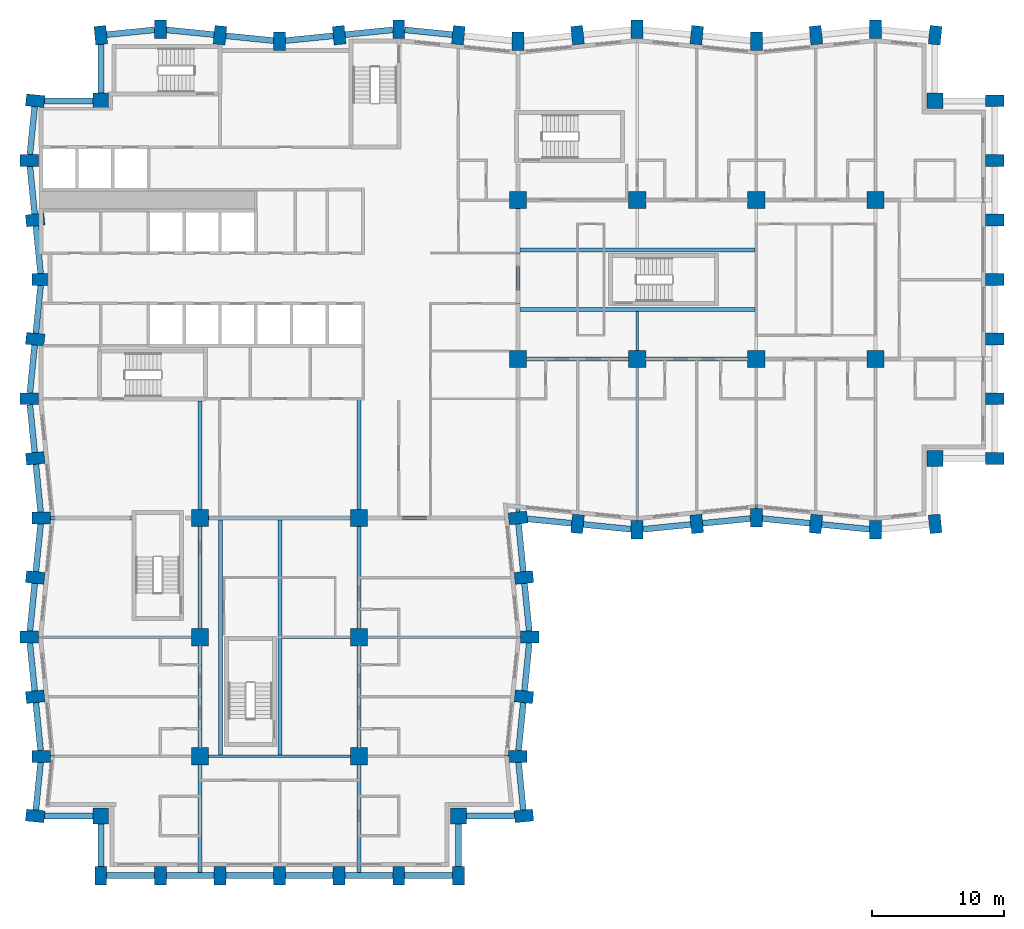
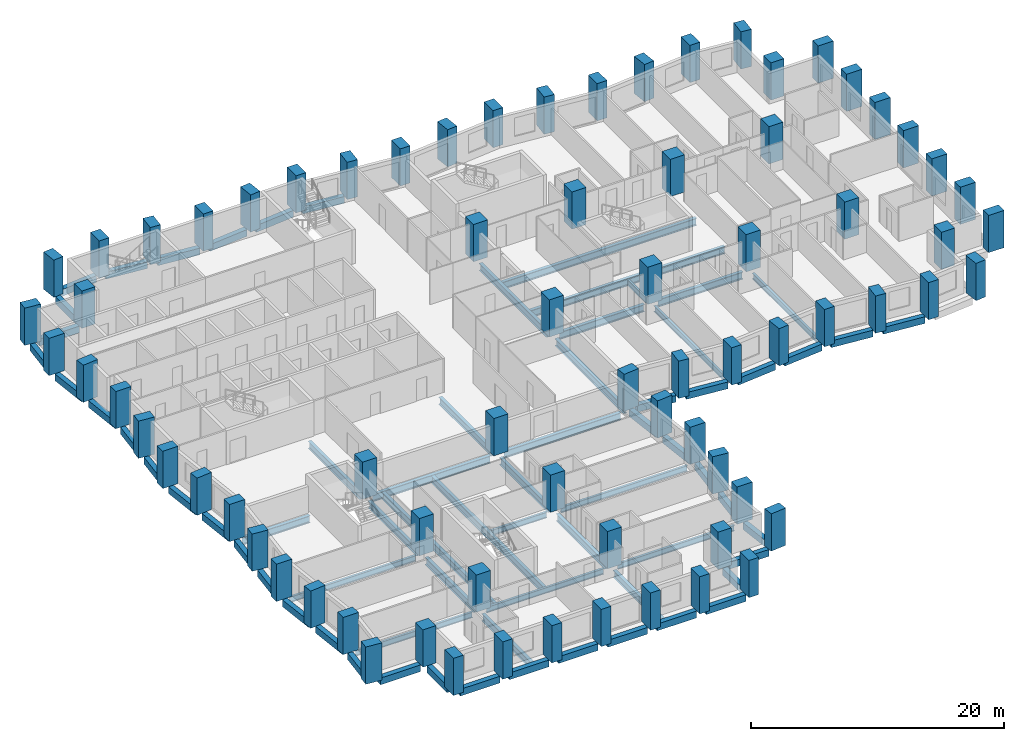
# One storey, part 1 of 13: 74 columns, 69 beams.
"""IFC4 building model written with IfcOpenShell, lengths in metres."""

from ifc_helpers import new_model, si_unit, direction, frame, origin, origin_2d, place, context, subcontext, project, spatial, rectangle, i_section, extrude, material, material_profile, profile_set, type_object, element, save


model = new_model("IFC4")

# Units and contexts
model_context = context("Model", 3, precision=1e-05, world=origin(), true_north=direction((0.0, 1.0)))
body_context = subcontext(model_context, "Body", "Model", "MODEL_VIEW")
ifc_project = project(units=[si_unit("LENGTHUNIT", "METRE"), si_unit("AREAUNIT", "SQUARE_METRE"), si_unit("VOLUMEUNIT", "CUBIC_METRE"), si_unit("PLANEANGLEUNIT", "RADIAN"), si_unit("MASSUNIT", "GRAM", prefix="KILO")], contexts=[model_context])

# Site, building, storey
site_placement = place(None, origin())
site = spatial("IfcSite", under=ifc_project, at=site_placement, CompositionType="ELEMENT")
building_placement = place(site_placement, origin())
building = spatial("IfcBuilding", under=site, at=building_placement, Name="Brondeck Convention Tower", CompositionType="ELEMENT")
storey_placement = place(building_placement, frame((0.0, 0.0, 41.10009765625)))
storey = spatial("IfcBuildingStorey", under=building, at=storey_placement, Name="L07", CompositionType="ELEMENT", Elevation=41.10009765625)

# Columns
ifc_material_1 = material(Name="Concrete C80/95", Category="concrete")
ifc_material_profile_1 = material_profile(ifc_material_1, rectangle(XDim=1.199951171875, YDim=1.199951171875, at=origin_2d()), Name="Corner column 1200x1200 Concrete C80/95")
ifc_profile_set_1 = profile_set([ifc_material_profile_1], Name="Concrete C80/95")
column_type_1 = type_object("IfcColumnType", Name="Corner column 1200x1200 Concrete C80/95", PredefinedType="COLUMN", material=ifc_profile_set_1)
for number, where, z_axis, x_axis, name in (
    (1, (4.5, 4.5, 0.0), (0.0, 0.0, 1.0), (1.0, 0.0, 0.0), "STR-COL-L07-NC-SWB0"),
    (2, (31.5, 4.5, 0.0), (0.0, 0.0, 1.0), (1.0, 0.0, 0.0), "STR-COL-L07-NC-SEB0"),
    (3, (67.5, 31.5, 0.0), (0.0, 0.0, 1.0), (1.0, 0.0, 0.0), "STR-COL-L07-NC-SEA72"),
    (4, (67.5, 58.5, 0.0), (0.0, 0.0, 1.0), (1.0, 0.0, 0.0), "STR-COL-L07-NC-NEA72"),
    (5, (4.5, 58.5, 0.0), (0.0, 0.0, 1.0), (1.0, 0.0, 0.0), "STR-COL-L07-NC-NW"),
):
    element("IfcColumn", number, at=place(storey_placement, frame(where, z_axis=z_axis, x_axis=x_axis)), inside=storey, type_object=column_type_1, Name=name, PredefinedType="COLUMN", context=body_context, shape_type="SweptSolid", body=[
        extrude(rectangle(XDim=1.199951171875, YDim=1.199951171875, at=origin_2d()), origin(), (0.0, 0.0, 1.0), 3.599853515625),
    ])
ifc_material_profile_2 = material_profile(ifc_material_1, rectangle(XDim=1.300048828125, YDim=1.300048828125, at=origin_2d()), Name="Interior column 1300x1300 Concrete C80/95")
ifc_profile_set_2 = profile_set([ifc_material_profile_2], Name="Concrete C80/95")
column_type_2 = type_object("IfcColumnType", Name="Interior column 1300x1300 Concrete C80/95", PredefinedType="COLUMN", material=ifc_profile_set_2)
for number, where, z_axis, x_axis, name in (
    (6, (12.0, 9.0, 0.0), (0.0, 0.0, 1.0), (1.0, 0.0, 0.0), "STR-COL-L07-IC-01"),
    (7, (12.0, 18.0, 0.0), (0.0, 0.0, 1.0), (1.0, 0.0, 0.0), "STR-COL-L07-IC-02"),
    (8, (12.0, 27.0, 0.0), (0.0, 0.0, 1.0), (1.0, 0.0, 0.0), "STR-COL-L07-IC-03"),
    (9, (24.0, 9.0, 0.0), (0.0, 0.0, 1.0), (1.0, 0.0, 0.0), "STR-COL-L07-IC-04"),
    (10, (24.0, 18.0, 0.0), (0.0, 0.0, 1.0), (1.0, 0.0, 0.0), "STR-COL-L07-IC-05"),
    (11, (24.0, 27.0, 0.0), (0.0, 0.0, 1.0), (1.0, 0.0, 0.0), "STR-COL-L07-IC-06"),
    (12, (36.0, 39.0, 0.0), (0.0, 0.0, 1.0), (1.0, 0.0, 0.0), "STR-COL-L07-IC-07"),
    (13, (36.0, 51.0, 0.0), (0.0, 0.0, 1.0), (1.0, 0.0, 0.0), "STR-COL-L07-IC-08"),
    (14, (45.0, 39.0, 0.0), (0.0, 0.0, 1.0), (1.0, 0.0, 0.0), "STR-COL-L07-IC-09"),
    (15, (45.0, 51.0, 0.0), (0.0, 0.0, 1.0), (1.0, 0.0, 0.0), "STR-COL-L07-IC-10"),
    (16, (54.0, 39.0, 0.0), (0.0, 0.0, 1.0), (1.0, 0.0, 0.0), "STR-COL-L07-IC-11"),
    (17, (54.0, 51.0, 0.0), (0.0, 0.0, 1.0), (1.0, 0.0, 0.0), "STR-COL-L07-IC-12"),
    (18, (63.0, 39.0, 0.0), (0.0, 0.0, 1.0), (1.0, 0.0, 0.0), "STR-COL-L07-IC-13"),
    (19, (63.0, 51.0, 0.0), (0.0, 0.0, 1.0), (1.0, 0.0, 0.0), "STR-COL-L07-IC-14"),
):
    element("IfcColumn", number, at=place(storey_placement, frame(where, z_axis=z_axis, x_axis=x_axis)), inside=storey, type_object=column_type_2, Name=name, PredefinedType="COLUMN", context=body_context, shape_type="SweptSolid", body=[
        extrude(rectangle(XDim=1.300048828125, YDim=1.300048828125, at=origin_2d()), origin(), (0.0, 0.0, 1.0), 3.599853515625),
    ])
ifc_material_profile_3 = material_profile(ifc_material_1, rectangle(XDim=0.89990234375, YDim=1.39990234375, at=origin_2d()), Name="Perimeter pier 900x1400 Concrete C80/95")
ifc_profile_set_3 = profile_set([ifc_material_profile_3], Name="Concrete C80/95")
column_type_3 = type_object("IfcColumnType", Name="Perimeter pier 900x1400 Concrete C80/95", PredefinedType="COLUMN", material=ifc_profile_set_3)
for number, where, z_axis, x_axis, name in (
    (20, (4.5, 0.0, 0.0), (0.0, 0.0, 1.0), (1.0, 0.0, 0.0), "STR-COL-L07-PC-B-S0-01"),
    (21, (9.0, 0.0, 0.0), (0.0, 0.0, 1.0), (1.0, 0.0, 0.0), "STR-COL-L07-PC-B-S0-02"),
    (22, (13.5, 0.0, 0.0), (0.0, 0.0, 1.0), (1.0, 0.0, 0.0), "STR-COL-L07-PC-B-S0-03"),
    (23, (18.0, 0.0, 0.0), (0.0, 0.0, 1.0), (1.0, 0.0, 0.0), "STR-COL-L07-PC-B-S0-04"),
    (24, (22.5, 0.0, 0.0), (0.0, 0.0, 1.0), (1.0, 0.0, 0.0), "STR-COL-L07-PC-B-S0-05"),
    (25, (27.0, 0.0, 0.0), (0.0, 0.0, 1.0), (1.0, 0.0, 0.0), "STR-COL-L07-PC-B-S0-06"),
    (26, (31.5, 0.0, 0.0), (0.0, 0.0, 1.0), (1.0, 0.0, 0.0), "STR-COL-L07-PC-B-S0-07"),
    (27, (36.449951171875, 4.5, 0.0), (0.0, 0.0, 1.0), (-0.0995038382, 0.995037178292, 0.0), "STR-COL-L07-PC-B-E-05"),
    (28, (36.0, 9.0, 0.0), (0.0, 0.0, 1.0), (0.0, 1.0, 0.0), "STR-COL-L07-PC-B-E-04"),
    (29, (36.449951171875, 13.5, 0.0), (0.0, 0.0, 1.0), (0.0995038382, 0.995037178292, 0.0), "STR-COL-L07-PC-B-E-03"),
    (30, (36.89990234375, 18.0, 0.0), (0.0, 0.0, 1.0), (0.0, 1.0, 0.0), "STR-COL-L07-PC-B-E-02"),
    (31, (36.449951171875, 22.5, 0.0), (0.0, 0.0, 1.0), (-0.0995038382, 0.995037178292, 0.0), "STR-COL-L07-PC-B-E-01"),
    (32, (36.0, 27.0, 0.0), (0.0, 0.0, 1.0), (-0.0995038382, 0.995037178292, 0.0), "STR-COL-L07-PC-B-E-00"),
    (33, (40.5, 26.550048828125, 0.0), (0.0, 0.0, 1.0), (0.995037178292, -0.0995038382, 0.0), "STR-COL-L07-PC-A-S-01"),
    (34, (45.0, 26.10009765625, 0.0), (0.0, 0.0, 1.0), (1.0, 0.0, 0.0), "STR-COL-L07-PC-A-S-02"),
    (35, (49.5, 26.550048828125, 0.0), (0.0, 0.0, 1.0), (0.995037178292, 0.0995038382, 0.0), "STR-COL-L07-PC-A-S-03"),
    (36, (54.0, 27.0, 0.0), (0.0, 0.0, 1.0), (1.0, 0.0, 0.0), "STR-COL-L07-PC-A-S-04"),
    (37, (58.5, 26.550048828125, 0.0), (0.0, 0.0, 1.0), (0.995037178292, -0.0995038382, 0.0), "STR-COL-L07-PC-A-S-05"),
    (38, (63.0, 26.10009765625, 0.0), (0.0, 0.0, 1.0), (1.0, 0.0, 0.0), "STR-COL-L07-PC-A-S-06"),
    (39, (67.5, 26.550048828125, 0.0), (0.0, 0.0, 1.0), (0.995037178292, 0.0995038382, 0.0), "STR-COL-L07-PC-A-S-07"),
    (40, (72.0, 31.5, 0.0), (0.0, 0.0, 1.0), (0.0, 1.0, 0.0), "STR-COL-L07-PC-A-E72-01"),
    (41, (72.0, 36.0, 0.0), (0.0, 0.0, 1.0), (0.0, 1.0, 0.0), "STR-COL-L07-PC-A-E72-02"),
    (42, (72.0, 40.5, 0.0), (0.0, 0.0, 1.0), (0.0, 1.0, 0.0), "STR-COL-L07-PC-A-E72-03"),
    (43, (72.0, 45.0, 0.0), (0.0, 0.0, 1.0), (0.0, 1.0, 0.0), "STR-COL-L07-PC-A-E72-04"),
    (44, (72.0, 49.5, 0.0), (0.0, 0.0, 1.0), (0.0, 1.0, 0.0), "STR-COL-L07-PC-A-E72-05"),
    (45, (72.0, 54.0, 0.0), (0.0, 0.0, 1.0), (0.0, 1.0, 0.0), "STR-COL-L07-PC-A-E72-06"),
    (46, (72.0, 58.5, 0.0), (0.0, 0.0, 1.0), (0.0, 1.0, 0.0), "STR-COL-L07-PC-A-E72-07"),
    (47, (67.5, 63.449951171875, 0.0), (0.0, 0.0, 1.0), (-0.995037178292, 0.0995038382, 0.0), "STR-COL-L07-PC-A-N-15"),
    (48, (63.0, 63.89990234375, 0.0), (0.0, 0.0, 1.0), (-1.0, 0.0, 0.0), "STR-COL-L07-PC-A-N-14"),
    (49, (58.5, 63.449951171875, 0.0), (0.0, 0.0, 1.0), (-0.995037178292, -0.0995038382, 0.0), "STR-COL-L07-PC-A-N-13"),
    (50, (54.0, 63.0, 0.0), (0.0, 0.0, 1.0), (-1.0, 0.0, 0.0), "STR-COL-L07-PC-A-N-12"),
    (51, (49.5, 63.449951171875, 0.0), (0.0, 0.0, 1.0), (-0.995037178292, 0.0995038382, 0.0), "STR-COL-L07-PC-A-N-11"),
    (52, (45.0, 63.89990234375, 0.0), (0.0, 0.0, 1.0), (-1.0, 0.0, 0.0), "STR-COL-L07-PC-A-N-10"),
    (53, (40.5, 63.449951171875, 0.0), (0.0, 0.0, 1.0), (-0.995037178292, -0.0995038382, 0.0), "STR-COL-L07-PC-A-N-09"),
    (54, (36.0, 63.0, 0.0), (0.0, 0.0, 1.0), (-1.0, 0.0, 0.0), "STR-COL-L07-PC-A-N-08"),
    (55, (31.5, 63.449951171875, 0.0), (0.0, 0.0, 1.0), (-0.995037178292, 0.0995038382, 0.0), "STR-COL-L07-PC-A-N-07"),
    (56, (27.0, 63.89990234375, 0.0), (0.0, 0.0, 1.0), (-1.0, 0.0, 0.0), "STR-COL-L07-PC-A-N-06"),
    (57, (22.5, 63.449951171875, 0.0), (0.0, 0.0, 1.0), (-0.995037178292, -0.0995038382, 0.0), "STR-COL-L07-PC-A-N-05"),
    (58, (18.0, 63.0, 0.0), (0.0, 0.0, 1.0), (-1.0, 0.0, 0.0), "STR-COL-L07-PC-A-N-04"),
    (59, (13.5, 63.449951171875, 0.0), (0.0, 0.0, 1.0), (-0.995037178292, 0.0995038382, 0.0), "STR-COL-L07-PC-A-N-03"),
    (60, (9.0, 63.89990234375, 0.0), (0.0, 0.0, 1.0), (-1.0, 0.0, 0.0), "STR-COL-L07-PC-A-N-02"),
    (61, (4.5, 63.449951171875, 0.0), (0.0, 0.0, 1.0), (-0.995037178292, -0.0995038382, 0.0), "STR-COL-L07-PC-A-N-01"),
    (62, (-0.449951171875, 58.5, 0.0), (0.0, 0.0, 1.0), (-0.0995038382, -0.995037178292, 0.0), "STR-COL-L07-PC-B-W-01"),
    (63, (-0.89990234375, 54.0, 0.0), (0.0, 0.0, 1.0), (0.0, -1.0, 0.0), "STR-COL-L07-PC-B-W-02"),
    (64, (-0.449951171875, 49.5, 0.0), (0.0, 0.0, 1.0), (0.0995038382, -0.995037178292, 0.0), "STR-COL-L07-PC-B-W-03"),
    (65, (0.0, 45.0, 0.0), (0.0, 0.0, 1.0), (0.0, -1.0, 0.0), "STR-COL-L07-PC-B-W-04"),
    (66, (-0.449951171875, 40.5, 0.0), (0.0, 0.0, 1.0), (-0.0995038382, -0.995037178292, 0.0), "STR-COL-L07-PC-B-W-05"),
    (67, (-0.89990234375, 36.0, 0.0), (0.0, 0.0, 1.0), (0.0, -1.0, 0.0), "STR-COL-L07-PC-B-W-06"),
    (68, (-0.449951171875, 31.5, 0.0), (0.0, 0.0, 1.0), (0.0995038382, -0.995037178292, 0.0), "STR-COL-L07-PC-B-W-07"),
    (69, (0.0, 27.0, 0.0), (0.0, 0.0, 1.0), (0.0, -1.0, 0.0), "STR-COL-L07-PC-B-W-08"),
    (70, (-0.449951171875, 22.5, 0.0), (0.0, 0.0, 1.0), (-0.0995038382, -0.995037178292, 0.0), "STR-COL-L07-PC-B-W-09"),
    (71, (-0.89990234375, 18.0, 0.0), (0.0, 0.0, 1.0), (0.0, -1.0, 0.0), "STR-COL-L07-PC-B-W-10"),
    (72, (-0.449951171875, 13.5, 0.0), (0.0, 0.0, 1.0), (0.0995038382, -0.995037178292, 0.0), "STR-COL-L07-PC-B-W-11"),
    (73, (0.0, 9.0, 0.0), (0.0, 0.0, 1.0), (0.0, -1.0, 0.0), "STR-COL-L07-PC-B-W-12"),
    (74, (-0.449951171875, 4.5, 0.0), (0.0, 0.0, 1.0), (-0.0995038382, -0.995037178292, 0.0), "STR-COL-L07-PC-B-W-13"),
):
    element("IfcColumn", number, at=place(storey_placement, frame(where, z_axis=z_axis, x_axis=x_axis)), inside=storey, type_object=column_type_3, Name=name, PredefinedType="COLUMN", context=body_context, shape_type="SweptSolid", body=[
        extrude(rectangle(XDim=0.89990234375, YDim=1.39990234375, at=origin_2d()), origin(), (0.0, 0.0, 1.0), 3.599853515625),
    ])

# Beams
ifc_material_2 = material(Name="Steel S355", Category="steel")
ifc_material_profile_4 = material_profile(ifc_material_2, i_section(OverallWidth=0.2099609375, OverallDepth=0.550048828125, WebThickness=0.010986328125, FlangeThickness=0.01708984375, FilletRadius=0.02392578125, at=origin_2d()), Name="IPE 550")
ifc_profile_set_4 = profile_set([ifc_material_profile_4], Name="Steel S355")
beam_type_1 = type_object("IfcBeamType", Name="Floor beam IPE 550", PredefinedType="BEAM", material=ifc_profile_set_4)
beam_1_placement = place(storey_placement, frame((45.0, 26.800048828125, -0.5751953125), z_axis=(0.0, 1.0, 0.0), x_axis=(-1.0, 0.0, 0.0)))
element("IfcBeam", 75, at=beam_1_placement, inside=storey, type_object=beam_type_1, Name="STR-FB-L07-001", PredefinedType="BEAM", context=body_context, shape_type="SweptSolid", body=[
    extrude(i_section(OverallWidth=0.2099609375, OverallDepth=0.550048828125, WebThickness=0.010986328125, FlangeThickness=0.01708984375, FilletRadius=0.02392578125, at=origin_2d()), origin(), (0.0, 0.0, 1.0), 11.550048828125),
])
for number, where, z_axis, x_axis, name in (
    (76, (54.0, 27.699951171875, -0.5751953125), (0.0, 1.0, 0.0), (-1.0, 0.0, 0.0), "STR-FB-L07-003"),
    (77, (0.699951171875, 9.0, -0.5751953125), (1.0, 0.0, 0.0), (0.0, 1.0, 0.0), "STR-FB-L07-009"),
):
    element("IfcBeam", number, at=place(storey_placement, frame(where, z_axis=z_axis, x_axis=x_axis)), inside=storey, type_object=beam_type_1, Name=name, PredefinedType="BEAM", context=body_context, shape_type="SweptSolid", body=[
        extrude(i_section(OverallWidth=0.2099609375, OverallDepth=0.550048828125, WebThickness=0.010986328125, FlangeThickness=0.01708984375, FilletRadius=0.02392578125, at=origin_2d()), origin(), (0.0, 0.0, 1.0), 10.650146484375),
    ])
beam_2_placement = place(storey_placement, frame((12.64990234375, 9.0, -0.5751953125), z_axis=(1.0, 0.0, 0.0), x_axis=(0.0, 1.0, 0.0)))
element("IfcBeam", 78, at=beam_2_placement, inside=storey, type_object=beam_type_1, Name="STR-FB-L07-010", PredefinedType="BEAM", context=body_context, shape_type="SweptSolid", body=[
    extrude(i_section(OverallWidth=0.2099609375, OverallDepth=0.550048828125, WebThickness=0.010986328125, FlangeThickness=0.01708984375, FilletRadius=0.02392578125, at=origin_2d()), origin(), (0.0, 0.0, 1.0), 10.7001953125),
])
beam_3_placement = place(storey_placement, frame((24.64990234375, 9.0, -0.5751953125), z_axis=(1.0, 0.0, 0.0), x_axis=(0.0, 1.0, 0.0)))
element("IfcBeam", 79, at=beam_3_placement, inside=storey, type_object=beam_type_1, Name="STR-FB-L07-011", PredefinedType="BEAM", context=body_context, shape_type="SweptSolid", body=[
    extrude(i_section(OverallWidth=0.2099609375, OverallDepth=0.550048828125, WebThickness=0.010986328125, FlangeThickness=0.01708984375, FilletRadius=0.02392578125, at=origin_2d()), origin(), (0.0, 0.0, 1.0), 10.650146484375),
])
for number, where, z_axis, x_axis, name in (
    (80, (-0.199951171875, 18.0, -0.5751953125), (1.0, 0.0, 0.0), (0.0, 1.0, 0.0), "STR-FB-L07-012"),
    (81, (24.64990234375, 18.0, -0.5751953125), (1.0, 0.0, 0.0), (0.0, 1.0, 0.0), "STR-FB-L07-013"),
):
    element("IfcBeam", number, at=place(storey_placement, frame(where, z_axis=z_axis, x_axis=x_axis)), inside=storey, type_object=beam_type_1, Name=name, PredefinedType="BEAM", context=body_context, shape_type="SweptSolid", body=[
        extrude(i_section(OverallWidth=0.2099609375, OverallDepth=0.550048828125, WebThickness=0.010986328125, FlangeThickness=0.01708984375, FilletRadius=0.02392578125, at=origin_2d()), origin(), (0.0, 0.0, 1.0), 11.550048828125),
    ])
beam_4_placement = place(storey_placement, frame((45.0, 39.64990234375, -0.5751953125), z_axis=(0.0, 1.0, 0.0), x_axis=(-1.0, 0.0, 0.0)))
element("IfcBeam", 82, at=beam_4_placement, inside=storey, type_object=beam_type_1, Name="STR-FB-L07-014", PredefinedType="BEAM", context=body_context, shape_type="SweptSolid", body=[
    extrude(i_section(OverallWidth=0.2099609375, OverallDepth=0.550048828125, WebThickness=0.010986328125, FlangeThickness=0.01708984375, FilletRadius=0.02392578125, at=origin_2d()), origin(), (0.0, 0.0, 1.0), 2.9501953125),
])
beam_5_placement = place(storey_placement, frame((18.199951171875, 18.0, -0.5751953125), z_axis=(1.0, 0.0, 0.0), x_axis=(0.0, 1.0, 0.0)))
element("IfcBeam", 83, at=beam_5_placement, inside=storey, type_object=beam_type_1, Name="STR-FB-L07-016", PredefinedType="BEAM", context=body_context, shape_type="SweptSolid", body=[
    extrude(i_section(OverallWidth=0.2099609375, OverallDepth=0.550048828125, WebThickness=0.010986328125, FlangeThickness=0.01708984375, FilletRadius=0.02392578125, at=origin_2d()), origin(), (0.0, 0.0, 1.0), 5.150146484375),
])
ifc_material_profile_5 = material_profile(ifc_material_2, i_section(OverallWidth=0.300048828125, OverallDepth=0.699951171875, WebThickness=0.01708984375, FlangeThickness=0.031982421875, FilletRadius=0.027099609375, at=origin_2d()), Name="HEB 700")
ifc_profile_set_5 = profile_set([ifc_material_profile_5], Name="Steel S355")
beam_type_2 = type_object("IfcBeamType", Name="Girder HEB 700", PredefinedType="BEAM", material=ifc_profile_set_5)
for number, where, z_axis, x_axis, name in (
    (84, (36.64990234375, 39.0, -0.650146484375), (1.0, 0.0, 0.0), (0.0, 1.0, 0.0), "STR-GR-L07-001"),
    (85, (45.64990234375, 39.0, -0.650146484375), (1.0, 0.0, 0.0), (0.0, 1.0, 0.0), "STR-GR-L07-002"),
):
    element("IfcBeam", number, at=place(storey_placement, frame(where, z_axis=z_axis, x_axis=x_axis)), inside=storey, type_object=beam_type_2, Name=name, PredefinedType="BEAM", context=body_context, shape_type="SweptSolid", body=[
        extrude(i_section(OverallWidth=0.300048828125, OverallDepth=0.699951171875, WebThickness=0.01708984375, FlangeThickness=0.031982421875, FilletRadius=0.027099609375, at=origin_2d()), origin(), (0.0, 0.0, 1.0), 7.7001953125),
    ])
beam_6_placement = place(storey_placement, frame((36.0, 27.4521484375, -0.650146484375), z_axis=(0.0, 1.0, 0.0), x_axis=(-1.0, 0.0, 0.0)))
element("IfcBeam", 86, at=beam_6_placement, inside=storey, type_object=beam_type_2, Name="STR-GR-L07-009", PredefinedType="BEAM", context=body_context, shape_type="SweptSolid", body=[
    extrude(i_section(OverallWidth=0.300048828125, OverallDepth=0.699951171875, WebThickness=0.01708984375, FlangeThickness=0.031982421875, FilletRadius=0.027099609375, at=origin_2d()), origin(), (0.0, 0.0, 1.0), 10.89794921875),
])
beam_7_placement = place(storey_placement, frame((36.0, 39.64990234375, -0.650146484375), z_axis=(0.0, 1.0, 0.0), x_axis=(-1.0, 0.0, 0.0)))
element("IfcBeam", 87, at=beam_7_placement, inside=storey, type_object=beam_type_2, Name="STR-GR-L07-010", PredefinedType="BEAM", context=body_context, shape_type="SweptSolid", body=[
    extrude(i_section(OverallWidth=0.300048828125, OverallDepth=0.699951171875, WebThickness=0.01708984375, FlangeThickness=0.031982421875, FilletRadius=0.027099609375, at=origin_2d()), origin(), (0.0, 0.0, 1.0), 10.7001953125),
])
beam_8_placement = place(storey_placement, frame((12.0, 35.85009765625, -0.650146484375), z_axis=(0.0, -1.0, 0.0), x_axis=(1.0, 0.0, 0.0)))
element("IfcBeam", 88, at=beam_8_placement, inside=storey, type_object=beam_type_2, Name="STR-GR-L07-013", PredefinedType="BEAM", context=body_context, shape_type="SweptSolid", body=[
    extrude(i_section(OverallWidth=0.300048828125, OverallDepth=0.699951171875, WebThickness=0.01708984375, FlangeThickness=0.031982421875, FilletRadius=0.027099609375, at=origin_2d()), origin(), (0.0, 0.0, 1.0), 8.2001953125),
])
for number, where, z_axis, x_axis, name in (
    (89, (12.0, 26.35009765625, -0.650146484375), (0.0, -1.0, 0.0), (1.0, 0.0, 0.0), "STR-GR-L07-014"),
    (90, (12.0, 17.35009765625, -0.650146484375), (0.0, -1.0, 0.0), (1.0, 0.0, 0.0), "STR-GR-L07-015"),
):
    element("IfcBeam", number, at=place(storey_placement, frame(where, z_axis=z_axis, x_axis=x_axis)), inside=storey, type_object=beam_type_2, Name=name, PredefinedType="BEAM", context=body_context, shape_type="SweptSolid", body=[
        extrude(i_section(OverallWidth=0.300048828125, OverallDepth=0.699951171875, WebThickness=0.01708984375, FlangeThickness=0.031982421875, FilletRadius=0.027099609375, at=origin_2d()), origin(), (0.0, 0.0, 1.0), 7.7001953125),
    ])
beam_9_placement = place(storey_placement, frame((12.0, 8.35009765625, -0.650146484375), z_axis=(0.0, -1.0, 0.0), x_axis=(1.0, 0.0, 0.0)))
element("IfcBeam", 91, at=beam_9_placement, inside=storey, type_object=beam_type_2, Name="STR-GR-L07-016", PredefinedType="BEAM", context=body_context, shape_type="SweptSolid", body=[
    extrude(i_section(OverallWidth=0.300048828125, OverallDepth=0.699951171875, WebThickness=0.01708984375, FlangeThickness=0.031982421875, FilletRadius=0.027099609375, at=origin_2d()), origin(), (0.0, 0.0, 1.0), 8.125),
])
beam_10_placement = place(storey_placement, frame((24.0, 35.955078125, -0.650146484375), z_axis=(0.0, -1.0, 0.0), x_axis=(1.0, 0.0, 0.0)))
element("IfcBeam", 92, at=beam_10_placement, inside=storey, type_object=beam_type_2, Name="STR-GR-L07-017", PredefinedType="BEAM", context=body_context, shape_type="SweptSolid", body=[
    extrude(i_section(OverallWidth=0.300048828125, OverallDepth=0.699951171875, WebThickness=0.01708984375, FlangeThickness=0.031982421875, FilletRadius=0.027099609375, at=origin_2d()), origin(), (0.0, 0.0, 1.0), 8.30517578125),
])
for number, where, z_axis, x_axis, name in (
    (93, (24.0, 26.35009765625, -0.650146484375), (0.0, -1.0, 0.0), (1.0, 0.0, 0.0), "STR-GR-L07-018"),
    (94, (24.0, 17.35009765625, -0.650146484375), (0.0, -1.0, 0.0), (1.0, 0.0, 0.0), "STR-GR-L07-019"),
):
    element("IfcBeam", number, at=place(storey_placement, frame(where, z_axis=z_axis, x_axis=x_axis)), inside=storey, type_object=beam_type_2, Name=name, PredefinedType="BEAM", context=body_context, shape_type="SweptSolid", body=[
        extrude(i_section(OverallWidth=0.300048828125, OverallDepth=0.699951171875, WebThickness=0.01708984375, FlangeThickness=0.031982421875, FilletRadius=0.027099609375, at=origin_2d()), origin(), (0.0, 0.0, 1.0), 7.7001953125),
    ])
beam_11_placement = place(storey_placement, frame((24.0, 8.35009765625, -0.650146484375), z_axis=(0.0, -1.0, 0.0), x_axis=(1.0, 0.0, 0.0)))
element("IfcBeam", 95, at=beam_11_placement, inside=storey, type_object=beam_type_2, Name="STR-GR-L07-020", PredefinedType="BEAM", context=body_context, shape_type="SweptSolid", body=[
    extrude(i_section(OverallWidth=0.300048828125, OverallDepth=0.699951171875, WebThickness=0.01708984375, FlangeThickness=0.031982421875, FilletRadius=0.027099609375, at=origin_2d()), origin(), (0.0, 0.0, 1.0), 8.125),
])
beam_12_placement = place(storey_placement, frame((0.699951171875, 27.0, -0.650146484375), z_axis=(1.0, 0.0, 0.0), x_axis=(0.0, 1.0, 0.0)))
element("IfcBeam", 96, at=beam_12_placement, inside=storey, type_object=beam_type_2, Name="STR-GR-L07-021", PredefinedType="BEAM", context=body_context, shape_type="SweptSolid", body=[
    extrude(i_section(OverallWidth=0.300048828125, OverallDepth=0.699951171875, WebThickness=0.01708984375, FlangeThickness=0.031982421875, FilletRadius=0.027099609375, at=origin_2d()), origin(), (0.0, 0.0, 1.0), 6.179931640625),
])
beam_13_placement = place(storey_placement, frame((12.64990234375, 27.0, -0.650146484375), z_axis=(1.0, 0.0, 0.0), x_axis=(0.0, 1.0, 0.0)))
element("IfcBeam", 97, at=beam_13_placement, inside=storey, type_object=beam_type_2, Name="STR-GR-L07-022", PredefinedType="BEAM", context=body_context, shape_type="SweptSolid", body=[
    extrude(i_section(OverallWidth=0.300048828125, OverallDepth=0.699951171875, WebThickness=0.01708984375, FlangeThickness=0.031982421875, FilletRadius=0.027099609375, at=origin_2d()), origin(), (0.0, 0.0, 1.0), 10.7001953125),
])
beam_14_placement = place(storey_placement, frame((24.64990234375, 27.0, -0.650146484375), z_axis=(1.0, 0.0, 0.0), x_axis=(0.0, 1.0, 0.0)))
element("IfcBeam", 98, at=beam_14_placement, inside=storey, type_object=beam_type_2, Name="STR-GR-L07-023", PredefinedType="BEAM", context=body_context, shape_type="SweptSolid", body=[
    extrude(i_section(OverallWidth=0.300048828125, OverallDepth=0.699951171875, WebThickness=0.01708984375, FlangeThickness=0.031982421875, FilletRadius=0.027099609375, at=origin_2d()), origin(), (0.0, 0.0, 1.0), 10.646484375),
])
for number, where, z_axis, x_axis, name in (
    (99, (36.14990234375, 42.75, -0.650146484375), (1.0, 0.0, 0.0), (0.0, 1.0, 0.0), "STR-GR-L07-024"),
    (100, (36.14990234375, 47.25, -0.650146484375), (1.0, 0.0, 0.0), (0.0, 1.0, 0.0), "STR-GR-L07-025"),
    (101, (13.550048828125, 9.10498046875, -0.650146484375), (0.0, 1.0, 0.0), (-1.0, 0.0, 0.0), "STR-GR-L07-026"),
    (102, (18.050048828125, 9.10498046875, -0.650146484375), (0.0, 1.0, 0.0), (-1.0, 0.0, 0.0), "STR-GR-L07-027"),
):
    element("IfcBeam", number, at=place(storey_placement, frame(where, z_axis=z_axis, x_axis=x_axis)), inside=storey, type_object=beam_type_2, Name=name, PredefinedType="BEAM", context=body_context, shape_type="SweptSolid", body=[
        extrude(i_section(OverallWidth=0.300048828125, OverallDepth=0.699951171875, WebThickness=0.01708984375, FlangeThickness=0.031982421875, FilletRadius=0.027099609375, at=origin_2d()), origin(), (0.0, 0.0, 1.0), 17.7451171875),
    ])
ifc_material_profile_6 = material_profile(ifc_material_1, rectangle(XDim=0.449951171875, YDim=0.64990234375, at=origin_2d()), Name="Precast spandrel 450x650 Concrete C80/95")
ifc_profile_set_6 = profile_set([ifc_material_profile_6], Name="Concrete C80/95")
beam_type_3 = type_object("IfcBeamType", Name="Precast spandrel 450x650 Concrete C80/95", PredefinedType="SPANDREL", material=ifc_profile_set_6)
for number, where, z_axis, x_axis, name in (
    (103, (4.949951171875, 0.0, -0.3251953125), (1.0, 0.0, 0.0), (0.0, 1.0, 0.0), "STR-SP-L07-001"),
    (104, (9.449951171875, 0.0, -0.3251953125), (1.0, 0.0, 0.0), (0.0, 1.0, 0.0), "STR-SP-L07-002"),
    (105, (13.949951171875, 0.0, -0.3251953125), (1.0, 0.0, 0.0), (0.0, 1.0, 0.0), "STR-SP-L07-003"),
    (106, (18.449951171875, 0.0, -0.3251953125), (1.0, 0.0, 0.0), (0.0, 1.0, 0.0), "STR-SP-L07-004"),
    (107, (22.949951171875, 0.0, -0.3251953125), (1.0, 0.0, 0.0), (0.0, 1.0, 0.0), "STR-SP-L07-005"),
    (108, (27.449951171875, 0.0, -0.3251953125), (1.0, 0.0, 0.0), (0.0, 1.0, 0.0), "STR-SP-L07-006"),
):
    element("IfcBeam", number, at=place(storey_placement, frame(where, z_axis=z_axis, x_axis=x_axis)), inside=storey, type_object=beam_type_3, Name=name, PredefinedType="SPANDREL", context=body_context, shape_type="SweptSolid", body=[
        extrude(rectangle(XDim=0.449951171875, YDim=0.64990234375, at=origin_2d()), origin(), (0.0, 0.0, 1.0), 3.60009765625),
    ])
beam_15_placement = place(storey_placement, frame((31.5, 0.699951171875, -0.3251953125), z_axis=(0.0, 1.0, 0.0), x_axis=(-1.0, 0.0, 0.0)))
element("IfcBeam", 109, at=beam_15_placement, inside=storey, type_object=beam_type_3, Name="STR-SP-L07-007", PredefinedType="SPANDREL", context=body_context, shape_type="SweptSolid", body=[
    extrude(rectangle(XDim=0.449951171875, YDim=0.64990234375, at=origin_2d()), origin(), (0.0, 0.0, 1.0), 3.199951171875),
])
beam_16_placement = place(storey_placement, frame((32.10009765625, 4.5, -0.3251953125), z_axis=(1.0, 0.0, 0.0), x_axis=(0.0, 1.0, 0.0)))
element("IfcBeam", 110, at=beam_16_placement, inside=storey, type_object=beam_type_3, Name="STR-SP-L07-008", PredefinedType="SPANDREL", context=body_context, shape_type="SweptSolid", body=[
    extrude(rectangle(XDim=0.449951171875, YDim=0.64990234375, at=origin_2d()), origin(), (0.0, 0.0, 1.0), 3.646484375),
])
for number, where, z_axis, x_axis, name in (
    (111, (36.4052734375, 4.94775390625, -0.3251953125), (-0.099537103649, 0.995033851182, 0.0), (-0.995033851182, -0.099537103649, 0.0), "STR-SP-L07-009"),
    (112, (36.044921875, 9.449951171875, -0.3251953125), (0.099537103649, 0.995033851182, 0.0), (-0.995033851182, 0.099537103649, 0.0), "STR-SP-L07-010"),
    (113, (36.494873046875, 13.94775390625, -0.3251953125), (0.099470334057, 0.995040528141, 0.0), (-0.995040528141, 0.099470334057, 0.0), "STR-SP-L07-011"),
    (114, (36.85498046875, 18.449951171875, -0.3251953125), (-0.099470334057, 0.995040528141, 0.0), (-0.995040528141, -0.099470334057, 0.0), "STR-SP-L07-012"),
):
    element("IfcBeam", number, at=place(storey_placement, frame(where, z_axis=z_axis, x_axis=x_axis)), inside=storey, type_object=beam_type_3, Name=name, PredefinedType="SPANDREL", context=body_context, shape_type="SweptSolid", body=[
        extrude(rectangle(XDim=0.449951171875, YDim=0.64990234375, at=origin_2d()), origin(), (0.0, 0.0, 1.0), 3.620361328125),
    ])
beam_17_placement = place(storey_placement, frame((36.4052734375, 22.94775390625, -0.3251953125), z_axis=(-0.099543756114, 0.995033185687, 0.0), x_axis=(-0.995033185687, -0.099543756114, 0.0)))
element("IfcBeam", 115, at=beam_17_placement, inside=storey, type_object=beam_type_3, Name="STR-SP-L07-013", PredefinedType="SPANDREL", context=body_context, shape_type="SweptSolid", body=[
    extrude(rectangle(XDim=0.449951171875, YDim=0.64990234375, at=origin_2d()), origin(), (0.0, 0.0, 1.0), 3.62255859375),
])
beam_18_placement = place(storey_placement, frame((36.710693359375, 26.928955078125, -0.3251953125), z_axis=(0.995035030591, -0.099525312843, 0.0), x_axis=(0.099525312843, 0.995035030591, 0.0)))
element("IfcBeam", 116, at=beam_18_placement, inside=storey, type_object=beam_type_3, Name="STR-SP-L07-014", PredefinedType="SPANDREL", context=body_context, shape_type="SweptSolid", body=[
    extrude(rectangle(XDim=0.449951171875, YDim=0.64990234375, at=origin_2d()), origin(), (0.0, 0.0, 1.0), 3.358154296875),
])
for number, where, z_axis, x_axis, name in (
    (117, (40.94775390625, 26.505126953125, -0.3251953125), (0.995040528141, -0.099470334057, 0.0), (0.099470334057, 0.995040528141, 0.0), "STR-SP-L07-015"),
    (118, (45.449951171875, 26.14501953125, -0.3251953125), (0.995040528141, 0.099470334057, 0.0), (-0.099470334057, 0.995040528141, 0.0), "STR-SP-L07-016"),
    (119, (49.94775390625, 26.5947265625, -0.3251953125), (0.995033851182, 0.099537103649, 0.0), (-0.099537103649, 0.995033851182, 0.0), "STR-SP-L07-017"),
    (120, (54.449951171875, 26.955078125, -0.3251953125), (0.995033851182, -0.099537103649, 0.0), (0.099537103649, 0.995033851182, 0.0), "STR-SP-L07-018"),
    (121, (58.94775390625, 26.505126953125, -0.3251953125), (0.995040528141, -0.099470334057, 0.0), (0.099470334057, 0.995040528141, 0.0), "STR-SP-L07-019"),
    (122, (31.05224609375, 63.494873046875, -0.3251953125), (-0.995040528141, 0.099470334057, 0.0), (-0.099470334057, -0.995040528141, 0.0), "STR-SP-L07-039"),
    (123, (26.550048828125, 63.85498046875, -0.3251953125), (-0.995040528141, -0.099470334057, 0.0), (0.099470334057, -0.995040528141, 0.0), "STR-SP-L07-040"),
    (124, (22.05224609375, 63.4052734375, -0.3251953125), (-0.995033851182, -0.099537103649, 0.0), (0.099537103649, -0.995033851182, 0.0), "STR-SP-L07-041"),
    (125, (17.550048828125, 63.044921875, -0.3251953125), (-0.995033851182, 0.099537103649, 0.0), (-0.099537103649, -0.995033851182, 0.0), "STR-SP-L07-042"),
    (126, (13.05224609375, 63.494873046875, -0.3251953125), (-0.995040528141, 0.099470334057, 0.0), (-0.099470334057, -0.995040528141, 0.0), "STR-SP-L07-043"),
    (127, (8.550048828125, 63.85498046875, -0.3251953125), (-0.995040528141, -0.099470334057, 0.0), (0.099470334057, -0.995040528141, 0.0), "STR-SP-L07-044"),
):
    element("IfcBeam", number, at=place(storey_placement, frame(where, z_axis=z_axis, x_axis=x_axis)), inside=storey, type_object=beam_type_3, Name=name, PredefinedType="SPANDREL", context=body_context, shape_type="SweptSolid", body=[
        extrude(rectangle(XDim=0.449951171875, YDim=0.64990234375, at=origin_2d()), origin(), (0.0, 0.0, 1.0), 3.620361328125),
    ])
for number, where, z_axis, x_axis, name in (
    (128, (4.5, 62.74658203125, -0.3251953125), (0.0, -1.0, 0.0), (1.0, 0.0, 0.0), "STR-SP-L07-045"),
    (129, (3.89990234375, 58.5, -0.3251953125), (-1.0, 0.0, 0.0), (0.0, -1.0, 0.0), "STR-SP-L07-046"),
):
    element("IfcBeam", number, at=place(storey_placement, frame(where, z_axis=z_axis, x_axis=x_axis)), inside=storey, type_object=beam_type_3, Name=name, PredefinedType="SPANDREL", context=body_context, shape_type="SweptSolid", body=[
        extrude(rectangle(XDim=0.449951171875, YDim=0.64990234375, at=origin_2d()), origin(), (0.0, 0.0, 1.0), 3.646484375),
    ])
for number, where, z_axis, x_axis, name in (
    (130, (-0.494873046875, 58.05224609375, -0.3251953125), (-0.099470334057, -0.995040528141, 0.0), (0.995040528141, -0.099470334057, 0.0), "STR-SP-L07-047"),
    (131, (-0.85498046875, 53.550048828125, -0.3251953125), (0.099470334057, -0.995040528141, 0.0), (0.995040528141, 0.099470334057, 0.0), "STR-SP-L07-048"),
    (132, (-0.4052734375, 49.05224609375, -0.3251953125), (0.099537103649, -0.995033851182, 0.0), (0.995033851182, 0.099537103649, 0.0), "STR-SP-L07-049"),
    (133, (-0.044921875, 44.550048828125, -0.3251953125), (-0.099537103649, -0.995033851182, 0.0), (0.995033851182, -0.099537103649, 0.0), "STR-SP-L07-050"),
    (134, (-0.494873046875, 40.05224609375, -0.3251953125), (-0.099470334057, -0.995040528141, 0.0), (0.995040528141, -0.099470334057, 0.0), "STR-SP-L07-051"),
    (135, (-0.85498046875, 35.550048828125, -0.3251953125), (0.099470334057, -0.995040528141, 0.0), (0.995040528141, 0.099470334057, 0.0), "STR-SP-L07-052"),
    (136, (-0.4052734375, 31.05224609375, -0.3251953125), (0.099537103649, -0.995033851182, 0.0), (0.995033851182, 0.099537103649, 0.0), "STR-SP-L07-053"),
    (137, (-0.044921875, 26.550048828125, -0.3251953125), (-0.099537103649, -0.995033851182, 0.0), (0.995033851182, -0.099537103649, 0.0), "STR-SP-L07-054"),
    (138, (-0.494873046875, 22.05224609375, -0.3251953125), (-0.099470334057, -0.995040528141, 0.0), (0.995040528141, -0.099470334057, 0.0), "STR-SP-L07-055"),
    (139, (-0.85498046875, 17.550048828125, -0.3251953125), (0.099470334057, -0.995040528141, 0.0), (0.995040528141, 0.099470334057, 0.0), "STR-SP-L07-056"),
    (140, (-0.4052734375, 13.05224609375, -0.3251953125), (0.099537103649, -0.995033851182, 0.0), (0.995033851182, 0.099537103649, 0.0), "STR-SP-L07-057"),
    (141, (-0.044921875, 8.550048828125, -0.3251953125), (-0.099537103649, -0.995033851182, 0.0), (0.995033851182, -0.099537103649, 0.0), "STR-SP-L07-058"),
):
    element("IfcBeam", number, at=place(storey_placement, frame(where, z_axis=z_axis, x_axis=x_axis)), inside=storey, type_object=beam_type_3, Name=name, PredefinedType="SPANDREL", context=body_context, shape_type="SweptSolid", body=[
        extrude(rectangle(XDim=0.449951171875, YDim=0.64990234375, at=origin_2d()), origin(), (0.0, 0.0, 1.0), 3.620361328125),
    ])
beam_19_placement = place(storey_placement, frame((0.25341796875, 4.5, -0.3251953125), z_axis=(1.0, 0.0, 0.0), x_axis=(0.0, 1.0, 0.0)))
element("IfcBeam", 142, at=beam_19_placement, inside=storey, type_object=beam_type_3, Name="STR-SP-L07-059", PredefinedType="SPANDREL", context=body_context, shape_type="SweptSolid", body=[
    extrude(rectangle(XDim=0.449951171875, YDim=0.64990234375, at=origin_2d()), origin(), (0.0, 0.0, 1.0), 3.646484375),
])
beam_20_placement = place(storey_placement, frame((4.5, 3.89990234375, -0.3251953125), z_axis=(0.0, -1.0, 0.0), x_axis=(1.0, 0.0, 0.0)))
element("IfcBeam", 143, at=beam_20_placement, inside=storey, type_object=beam_type_3, Name="STR-SP-L07-060", PredefinedType="SPANDREL", context=body_context, shape_type="SweptSolid", body=[
    extrude(rectangle(XDim=0.449951171875, YDim=0.64990234375, at=origin_2d()), origin(), (0.0, 0.0, 1.0), 3.199951171875),
])

save(model, "model.ifc")
